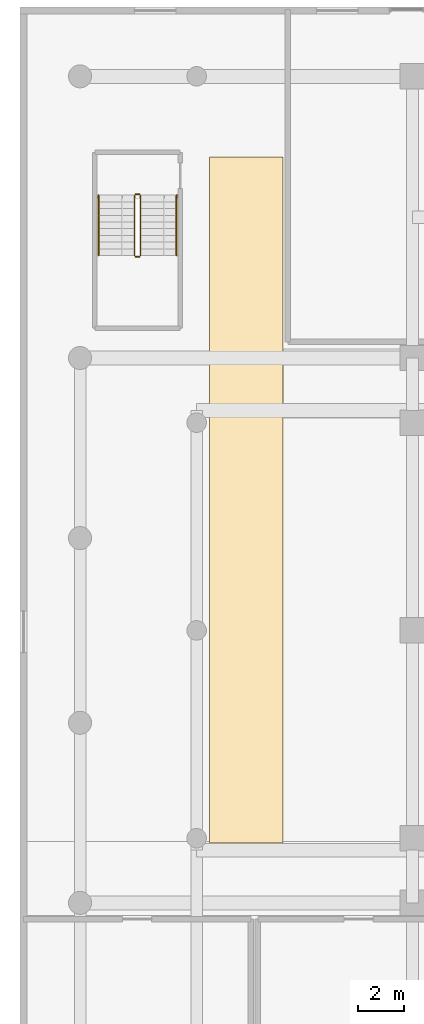
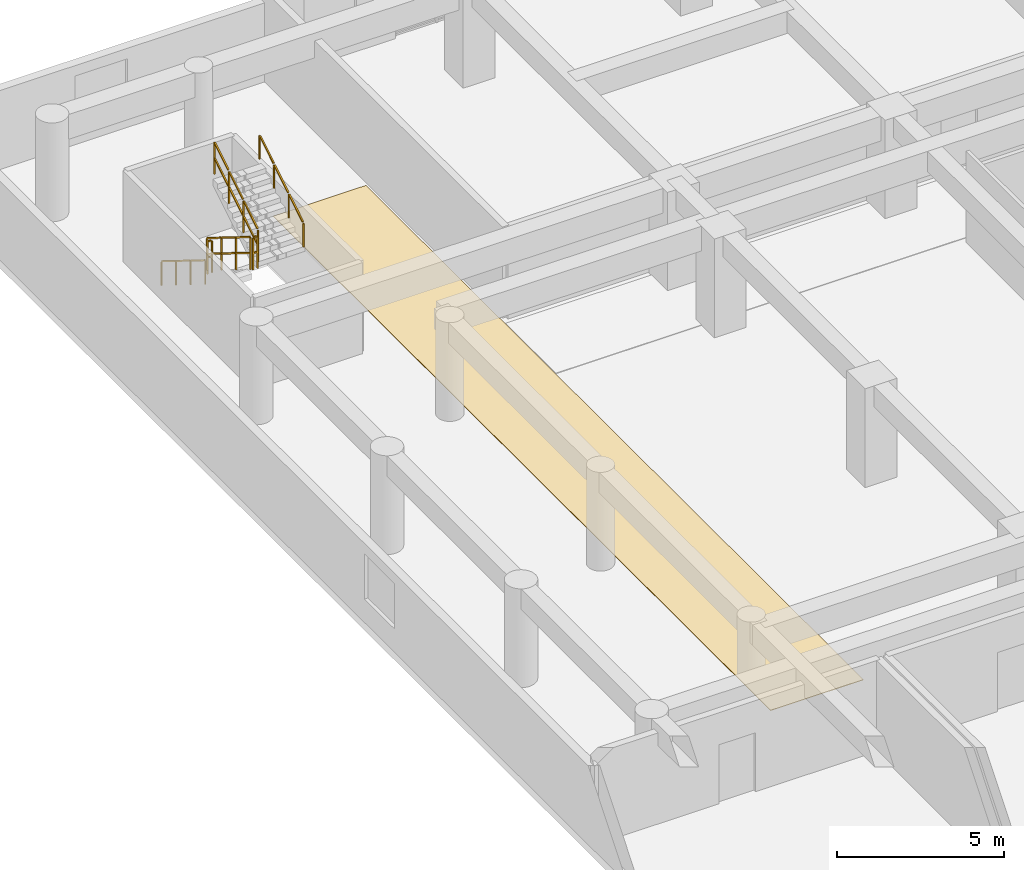
# One storey, part 27 of 30: 6 railings, 1 covering.
"""IFC4 building model written with IfcOpenShell, lengths in metres."""

from ifc_helpers import new_model, si_unit, direction, frame, origin, origin_2d, place, context, subcontext, project, spatial, polyline, rectangle, outline, extrude, material, layer, layer_set, type_object, element, save


model = new_model("IFC4")

# Units and contexts
model_context = context("Model", 3, precision=1e-05, world=origin(), true_north=direction((0.0, 1.0)))
body_context = subcontext(model_context, "Body", "Model", "MODEL_VIEW")
ifc_project = project(units=[si_unit("LENGTHUNIT", "METRE"), si_unit("AREAUNIT", "SQUARE_METRE"), si_unit("VOLUMEUNIT", "CUBIC_METRE"), si_unit("PLANEANGLEUNIT", "RADIAN"), si_unit("MASSUNIT", "GRAM", prefix="KILO")], contexts=[model_context])

# Site, building, storey
site_placement = place(None, origin())
site = spatial("IfcSite", under=ifc_project, at=site_placement, CompositionType="ELEMENT")
building_placement = place(site_placement, origin())
building = spatial("IfcBuilding", under=site, at=building_placement, Name="Saelheon Loggia Tower", CompositionType="ELEMENT")
storey_placement = place(building_placement, frame((0.0, 0.0, 7.800048828125)))
storey = spatial("IfcBuildingStorey", under=building, at=storey_placement, Name="L02", CompositionType="ELEMENT", Elevation=7.800048828125)

# Covering
ifc_material_1 = material(Name="Vitrified Porcelain Floor Tile", Category="ceramic")
ifc_layer = layer(ifc_material_1, 0.02001953125)
ifc_layer_set = layer_set([ifc_layer], Name="Vitrified Porcelain Floor Tile")
covering_type = type_object("IfcCoveringType", Name="Cov_Floor_Porcelain", PredefinedType="FLOORING", material=ifc_layer_set)
covering_placement = place(storey_placement, origin())
element("IfcCovering", 1, at=covering_placement, inside=storey, type_object=covering_type, Name="L02 Corridor Porcelain Flooring", PredefinedType="FLOORING", context=body_context, shape_type="SweptSolid", body=[
    extrude(outline(polyline([(8.199951171875, 17.800048828125), (11.39990234375, 17.800048828125), (11.39990234375, 47.5), (8.199951171875, 47.5), (8.199951171875, 17.800048828125)])), origin(), (0.0, 0.0, 1.0), 0.02001953125),
])

# Railings
ifc_material_2 = material(Name="Galvanised Steel S275 Stairwell Guardrail", Category="steel")
railing_type_1 = type_object("IfcRailingType", Name="Guard_StairWell_RL_STG", PredefinedType="GUARDRAIL", material=ifc_material_2)
railing_1_placement = place(storey_placement, frame((4.9599609375, 45.85009765625, 0.179931640625)))
element("IfcRailing", 2, at=railing_1_placement, inside=storey, type_object=railing_type_1, Name="L02 ST3 stair guard 1", PredefinedType="GUARDRAIL", context=body_context, shape_type="SweptSolid", body=[
    extrude(rectangle(XDim=0.048095703125, YDim=0.048095703125, at=origin_2d()), frame((0.0, -0.0283203125, 1.193359375), z_axis=(0.0, -0.849632798774, 0.527374731332), x_axis=(1.0, 0.0, 0.0)), (0.0, 0.0, 1.0), 0.95751953125),
    extrude(rectangle(XDim=0.048095703125, YDim=0.048095703125, at=origin_2d()), frame((0.0, -0.0283203125, 0.617431640625), z_axis=(0.0, -0.849632798774, 0.527374731332), x_axis=(1.0, 0.0, 0.0)), (0.0, 0.0, 1.0), 0.95751953125),
    extrude(rectangle(XDim=0.048095703125, YDim=0.048095703125, at=origin_2d()), frame((0.0, -0.898193359375, 1.7333984375), z_axis=(0.0, -0.849632798774, 0.527374731332), x_axis=(1.0, 0.0, 0.0)), (0.0, 0.0, 1.0), 0.95751953125),
    extrude(rectangle(XDim=0.048095703125, YDim=0.048095703125, at=origin_2d()), frame((0.0, -0.898193359375, 1.157470703125), z_axis=(0.0, -0.849632798774, 0.527374731332), x_axis=(1.0, 0.0, 0.0)), (0.0, 0.0, 1.0), 0.95751953125),
    extrude(rectangle(XDim=0.048095703125, YDim=0.048095703125, at=origin_2d()), frame((0.0, -1.768310546875, 2.2734375), z_axis=(0.0, -0.849632798774, 0.527374731332), x_axis=(1.0, 0.0, 0.0)), (0.0, 0.0, 1.0), 0.95751953125),
    extrude(rectangle(XDim=0.048095703125, YDim=0.048095703125, at=origin_2d()), frame((0.0, -1.768310546875, 1.697509765625), z_axis=(0.0, -0.849632798774, 0.527374731332), x_axis=(1.0, 0.0, 0.0)), (0.0, 0.0, 1.0), 0.95751953125),
    extrude(rectangle(XDim=0.0419921875, YDim=0.0419921875, at=origin_2d()), origin(), (0.0, 0.0, 1.0), 1.14794921875),
    extrude(rectangle(XDim=0.0419921875, YDim=0.0419921875, at=origin_2d()), frame((0.0, -0.8701171875, 0.5400390625)), (0.0, 0.0, 1.0), 1.14794921875),
    extrude(rectangle(XDim=0.0419921875, YDim=0.0419921875, at=origin_2d()), frame((0.0, -1.739990234375, 1.080078125)), (0.0, 0.0, 1.0), 1.14794921875),
    extrude(rectangle(XDim=0.0419921875, YDim=0.0419921875, at=origin_2d()), frame((0.0, -2.610107421875, 1.6201171875)), (0.0, 0.0, 1.0), 1.14794921875),
])
railing_2_placement = place(storey_placement, frame((5.010009765625, 43.18994140625, 1.800048828125)))
element("IfcRailing", 3, at=railing_2_placement, inside=storey, type_object=railing_type_1, Name="L02 ST3 stair guard 2", PredefinedType="GUARDRAIL", context=body_context, shape_type="SweptSolid", body=[
    extrude(rectangle(XDim=0.048095703125, YDim=0.048095703125, at=origin_2d()), frame((0.033203125, 0.0, 1.17578125), z_axis=(1.0, 0.0, 0.0), x_axis=(0.0, 1.0, 0.0)), (0.0, 0.0, 1.0), 0.093505859375),
    extrude(rectangle(XDim=0.048095703125, YDim=0.048095703125, at=origin_2d()), frame((0.033203125, 0.0, 0.60009765625), z_axis=(1.0, 0.0, 0.0), x_axis=(0.0, 1.0, 0.0)), (0.0, 0.0, 1.0), 0.093505859375),
    extrude(rectangle(XDim=0.0419921875, YDim=0.0419921875, at=origin_2d()), origin(), (0.0, 0.0, 1.0), 1.14794921875),
    extrude(rectangle(XDim=0.0419921875, YDim=0.0419921875, at=origin_2d()), frame((0.159912109375, 0.0, 0.0)), (0.0, 0.0, 1.0), 1.14794921875),
])
railing_3_placement = place(storey_placement, frame((5.219970703125, 43.239990234375, 1.97998046875)))
element("IfcRailing", 4, at=railing_3_placement, inside=storey, type_object=railing_type_1, Name="L02 ST3 stair guard 3", PredefinedType="GUARDRAIL", context=body_context, shape_type="SweptSolid", body=[
    extrude(rectangle(XDim=0.048095703125, YDim=0.048095703125, at=origin_2d()), frame((0.0, 0.0283203125, 1.193359375), z_axis=(0.0, 0.849668407637, 0.527317358963), x_axis=(-1.0, 0.0, 0.0)), (0.0, 0.0, 1.0), 0.95751953125),
    extrude(rectangle(XDim=0.048095703125, YDim=0.048095703125, at=origin_2d()), frame((0.0, 0.0283203125, 0.617431640625), z_axis=(0.0, 0.849668407637, 0.527317358963), x_axis=(-1.0, 0.0, 0.0)), (0.0, 0.0, 1.0), 0.95751953125),
    extrude(rectangle(XDim=0.048095703125, YDim=0.048095703125, at=origin_2d()), frame((0.0, 0.898193359375, 1.7333984375), z_axis=(0.0, 0.849668407637, 0.527317358963), x_axis=(-1.0, 0.0, 0.0)), (0.0, 0.0, 1.0), 0.95751953125),
    extrude(rectangle(XDim=0.048095703125, YDim=0.048095703125, at=origin_2d()), frame((0.0, 0.898193359375, 1.157470703125), z_axis=(0.0, 0.849668407637, 0.527317358963), x_axis=(-1.0, 0.0, 0.0)), (0.0, 0.0, 1.0), 0.95751953125),
    extrude(rectangle(XDim=0.048095703125, YDim=0.048095703125, at=origin_2d()), frame((0.0, 1.768310546875, 2.2734375), z_axis=(0.0, 0.849668407637, 0.527317358963), x_axis=(-1.0, 0.0, 0.0)), (0.0, 0.0, 1.0), 0.95751953125),
    extrude(rectangle(XDim=0.048095703125, YDim=0.048095703125, at=origin_2d()), frame((0.0, 1.768310546875, 1.697509765625), z_axis=(0.0, 0.849668407637, 0.527317358963), x_axis=(-1.0, 0.0, 0.0)), (0.0, 0.0, 1.0), 0.95751953125),
    extrude(rectangle(XDim=0.0419921875, YDim=0.0419921875, at=origin_2d()), origin(), (0.0, 0.0, 1.0), 1.14794921875),
    extrude(rectangle(XDim=0.0419921875, YDim=0.0419921875, at=origin_2d()), frame((0.0, 0.8701171875, 0.5400390625)), (0.0, 0.0, 1.0), 1.14794921875),
    extrude(rectangle(XDim=0.0419921875, YDim=0.0419921875, at=origin_2d()), frame((0.0, 1.739990234375, 1.079833984375)), (0.0, 0.0, 1.0), 1.14794921875),
    extrude(rectangle(XDim=0.0419921875, YDim=0.0419921875, at=origin_2d()), frame((0.0, 2.610107421875, 1.619873046875)), (0.0, 0.0, 1.0), 1.14794921875),
])
railing_4_placement = place(storey_placement, frame((5.010009765625, 45.89990234375, 0.0)))
element("IfcRailing", 5, at=railing_4_placement, inside=storey, type_object=railing_type_1, Name="L02 ST3 stair guard 4", PredefinedType="GUARDRAIL", context=body_context, shape_type="SweptSolid", body=[
    extrude(rectangle(XDim=0.048095703125, YDim=0.048095703125, at=origin_2d()), frame((0.033203125, 0.0, 1.17578125), z_axis=(1.0, 0.0, 0.0), x_axis=(0.0, 1.0, 0.0)), (0.0, 0.0, 1.0), 0.093505859375),
    extrude(rectangle(XDim=0.048095703125, YDim=0.048095703125, at=origin_2d()), frame((0.033203125, 0.0, 0.60009765625), z_axis=(1.0, 0.0, 0.0), x_axis=(0.0, 1.0, 0.0)), (0.0, 0.0, 1.0), 0.093505859375),
    extrude(rectangle(XDim=0.0419921875, YDim=0.0419921875, at=origin_2d()), origin(), (0.0, 0.0, 1.0), 1.14794921875),
    extrude(rectangle(XDim=0.0419921875, YDim=0.0419921875, at=origin_2d()), frame((0.159912109375, 0.0, 0.0)), (0.0, 0.0, 1.0), 1.14794921875),
])
ifc_material_3 = material(Name="Stainless Steel 304 Tubular Handrail", Category="steel")
railing_type_2 = type_object("IfcRailingType", Name="Handrail_Stair_RL_HR1", PredefinedType="HANDRAIL", material=ifc_material_3)
railing_5_placement = place(storey_placement, frame((3.39990234375, 45.85009765625, 0.179931640625)))
element("IfcRailing", 6, at=railing_5_placement, inside=storey, type_object=railing_type_2, Name="L02 ST3 stair handrail 1", PredefinedType="HANDRAIL", context=body_context, shape_type="SweptSolid", body=[
    extrude(rectangle(XDim=0.048095703125, YDim=0.048095703125, at=origin_2d()), frame((0.0, -0.0283203125, 0.893310546875), z_axis=(0.0, -0.849632798774, 0.527374731332), x_axis=(1.0, 0.0, 0.0)), (0.0, 0.0, 1.0), 0.95751953125),
    extrude(rectangle(XDim=0.048095703125, YDim=0.048095703125, at=origin_2d()), frame((0.0, -0.898193359375, 1.433349609375), z_axis=(0.0, -0.849632798774, 0.527374731332), x_axis=(1.0, 0.0, 0.0)), (0.0, 0.0, 1.0), 0.95751953125),
    extrude(rectangle(XDim=0.048095703125, YDim=0.048095703125, at=origin_2d()), frame((0.0, -1.768310546875, 1.973388671875), z_axis=(0.0, -0.849632798774, 0.527374731332), x_axis=(1.0, 0.0, 0.0)), (0.0, 0.0, 1.0), 0.95751953125),
    extrude(rectangle(XDim=0.0419921875, YDim=0.0419921875, at=origin_2d()), origin(), (0.0, 0.0, 1.0), 0.847900390625),
    extrude(rectangle(XDim=0.0419921875, YDim=0.0419921875, at=origin_2d()), frame((0.0, -0.8701171875, 0.5400390625)), (0.0, 0.0, 1.0), 0.847900390625),
    extrude(rectangle(XDim=0.0419921875, YDim=0.0419921875, at=origin_2d()), frame((0.0, -1.739990234375, 1.080078125)), (0.0, 0.0, 1.0), 0.847900390625),
    extrude(rectangle(XDim=0.0419921875, YDim=0.0419921875, at=origin_2d()), frame((0.0, -2.610107421875, 1.6201171875)), (0.0, 0.0, 1.0), 0.847900390625),
])
railing_6_placement = place(storey_placement, frame((6.780029296875, 43.239990234375, 1.97998046875)))
element("IfcRailing", 7, at=railing_6_placement, inside=storey, type_object=railing_type_2, Name="L02 ST3 stair handrail 2", PredefinedType="HANDRAIL", context=body_context, shape_type="SweptSolid", body=[
    extrude(rectangle(XDim=0.048095703125, YDim=0.048095703125, at=origin_2d()), frame((0.0, 0.0283203125, 0.893310546875), z_axis=(0.0, 0.849668407637, 0.527317358963), x_axis=(-1.0, 0.0, 0.0)), (0.0, 0.0, 1.0), 0.95751953125),
    extrude(rectangle(XDim=0.048095703125, YDim=0.048095703125, at=origin_2d()), frame((0.0, 0.898193359375, 1.433349609375), z_axis=(0.0, 0.849668407637, 0.527317358963), x_axis=(-1.0, 0.0, 0.0)), (0.0, 0.0, 1.0), 0.95751953125),
    extrude(rectangle(XDim=0.048095703125, YDim=0.048095703125, at=origin_2d()), frame((0.0, 1.768310546875, 1.973388671875), z_axis=(0.0, 0.849668407637, 0.527317358963), x_axis=(-1.0, 0.0, 0.0)), (0.0, 0.0, 1.0), 0.95751953125),
    extrude(rectangle(XDim=0.0419921875, YDim=0.0419921875, at=origin_2d()), origin(), (0.0, 0.0, 1.0), 0.847900390625),
    extrude(rectangle(XDim=0.0419921875, YDim=0.0419921875, at=origin_2d()), frame((0.0, 0.8701171875, 0.5400390625)), (0.0, 0.0, 1.0), 0.847900390625),
    extrude(rectangle(XDim=0.0419921875, YDim=0.0419921875, at=origin_2d()), frame((0.0, 1.739990234375, 1.079833984375)), (0.0, 0.0, 1.0), 0.847900390625),
    extrude(rectangle(XDim=0.0419921875, YDim=0.0419921875, at=origin_2d()), frame((0.0, 2.610107421875, 1.619873046875)), (0.0, 0.0, 1.0), 0.847900390625),
])

save(model, "model.ifc")
